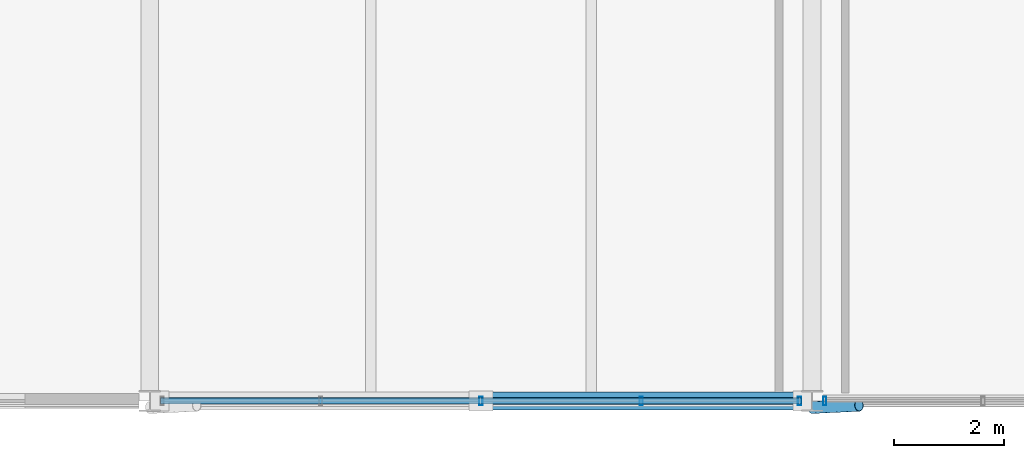
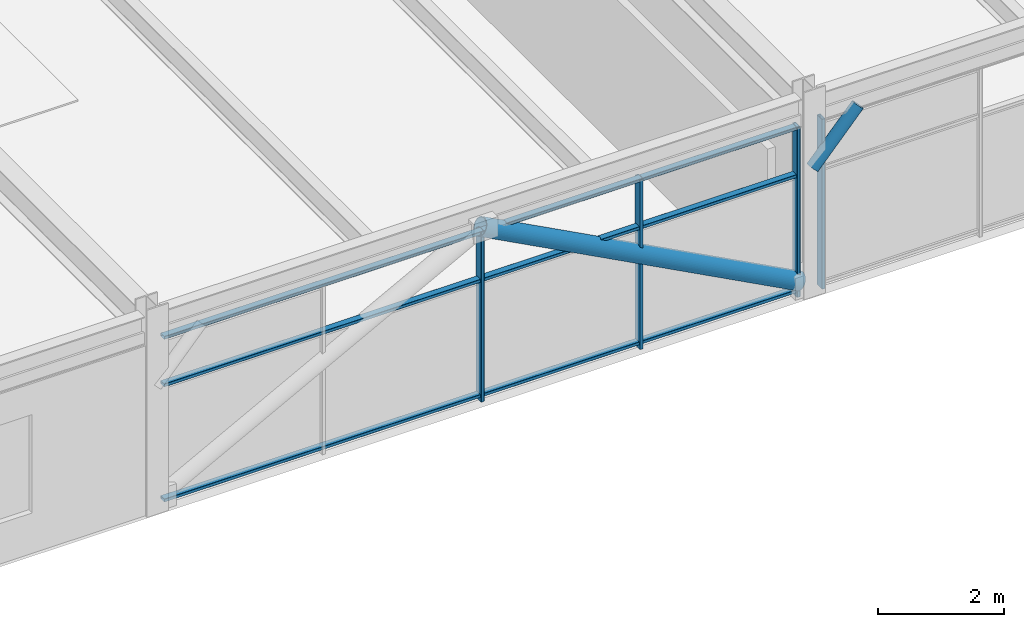
# One storey, part 10 of 51: 9 members, 2 elements without a shape of their own.
"""IFC4 building model written with IfcOpenShell, lengths in metres."""

from ifc_helpers import new_model, si_unit, direction, frame, origin, origin_2d, place, context, subcontext, project, spatial, hollow_rectangle, hollow_circle, extrude, material, material_profile, profile_set, type_object, element, aggregate, save


model = new_model("IFC4")

# Units and contexts
model_context = context("Model", 3, precision=1e-05, world=origin(), true_north=direction((0.0, 1.0)))
body_context = subcontext(model_context, "Body", "Model", "MODEL_VIEW")
ifc_project = project(units=[si_unit("LENGTHUNIT", "METRE"), si_unit("AREAUNIT", "SQUARE_METRE"), si_unit("VOLUMEUNIT", "CUBIC_METRE"), si_unit("PLANEANGLEUNIT", "RADIAN"), si_unit("MASSUNIT", "GRAM", prefix="KILO")], contexts=[model_context])

# Site, building, storey
site_placement = place(None, origin())
site = spatial("IfcSite", under=ifc_project, at=site_placement, CompositionType="ELEMENT")
building_placement = place(site_placement, origin())
building = spatial("IfcBuilding", under=site, at=building_placement, Name="Girod Span Mobility Hub", CompositionType="ELEMENT")
storey_placement = place(building_placement, frame((0.0, 0.0, 41.60009765625)))
storey = spatial("IfcBuildingStorey", under=building, at=storey_placement, Name="L10", CompositionType="ELEMENT", Elevation=41.60009765625)

# Curtain wall, members
ifc_material_1 = material(Name="Thermally Broken Anodised Aluminium", Category="aluminium")
curtain_wall_type = type_object("IfcCurtainWallType", Name="CW-1161X328", PredefinedType="USERDEFINED", material=ifc_material_1)
curtain_wall_1_placement = place(storey_placement, origin())
curtain_wall_1 = element("IfcCurtainWall", 1, at=curtain_wall_1_placement, inside=storey, type_object=curtain_wall_type, Name="Unitised Curtain Wall CW-L10-S04 L10", ObjectType="UNITISED CURTAIN WALL", PredefinedType="USERDEFINED")
ifc_material_2 = material(Name="Thermally Broken Anodised Aluminium", Category="aluminium")
ifc_material_profile_1 = material_profile(ifc_material_2, hollow_rectangle(XDim=0.159912109375, YDim=0.06005859375, WallThickness=0.00341796875, InnerFilletRadius=0.00341796875, OuterFilletRadius=0.007080078125, at=origin_2d()), Name="CW-ML-60X160")
ifc_profile_set_1 = profile_set([ifc_material_profile_1], Name="Thermally Broken Anodised Aluminium")
member_type_1 = type_object("IfcMemberType", Name="CWM-ML-3", PredefinedType="MULLION", material=ifc_profile_set_1)
member_1_placement = place(storey_placement, frame((42.0, 27.0, 0.0), z_axis=(0.0, 0.0, 1.0), x_axis=(0.0, 1.0, 0.0)))
member_1 = element("IfcMember", 2, at=member_1_placement, type_object=member_type_1, Name="Curtain Wall Mullion CW-L10-S04-M2", PredefinedType="MULLION", context=body_context, shape_type="SweptSolid", body=[
    extrude(hollow_rectangle(XDim=0.159912109375, YDim=0.06005859375, WallThickness=0.00341796875, InnerFilletRadius=0.00341796875, OuterFilletRadius=0.007080078125, at=origin_2d()), origin(), (0.0, 0.0, 1.0), 3.281005859375),
])
member_2_placement = place(storey_placement, frame((44.902587890625, 27.0, 0.0), z_axis=(0.0, 0.0, 1.0), x_axis=(0.0, 1.0, 0.0)))
member_2 = element("IfcMember", 3, at=member_2_placement, type_object=member_type_1, Name="Curtain Wall Mullion CW-L10-S04-M3", PredefinedType="MULLION", context=body_context, shape_type="SweptSolid", body=[
    extrude(hollow_rectangle(XDim=0.159912109375, YDim=0.06005859375, WallThickness=0.00341796875, InnerFilletRadius=0.00341796875, OuterFilletRadius=0.007080078125, at=origin_2d()), origin(), (0.0, 0.0, 1.0), 3.281005859375),
])
member_3_placement = place(storey_placement, frame((47.77294921875, 27.0, 0.0), z_axis=(0.0, 0.0, 1.0), x_axis=(0.0, 1.0, 0.0)))
member_3 = element("IfcMember", 4, at=member_3_placement, type_object=member_type_1, Name="Curtain Wall Mullion CW-L10-S04-M4", PredefinedType="MULLION", context=body_context, shape_type="SweptSolid", body=[
    extrude(hollow_rectangle(XDim=0.159912109375, YDim=0.06005859375, WallThickness=0.00341796875, InnerFilletRadius=0.00341796875, OuterFilletRadius=0.007080078125, at=origin_2d()), origin(), (0.0, 0.0, 1.0), 3.281005859375),
])

# Curtain wall, member
curtain_wall_2_placement = place(storey_placement, origin())
curtain_wall_2 = element("IfcCurtainWall", 5, at=curtain_wall_2_placement, inside=storey, type_object=curtain_wall_type, Name="Unitised Curtain Wall CW-L10-S05 L10", ObjectType="UNITISED CURTAIN WALL", PredefinedType="USERDEFINED")
member_4_placement = place(storey_placement, frame((48.22705078125, 27.0, 0.0), z_axis=(0.0, 0.0, 1.0), x_axis=(0.0, 1.0, 0.0)))
member_4 = element("IfcMember", 6, at=member_4_placement, type_object=member_type_1, Name="Curtain Wall Mullion CW-L10-S05-M0", PredefinedType="MULLION", context=body_context, shape_type="SweptSolid", body=[
    extrude(hollow_rectangle(XDim=0.159912109375, YDim=0.06005859375, WallThickness=0.00341796875, InnerFilletRadius=0.00341796875, OuterFilletRadius=0.007080078125, at=origin_2d()), origin(), (0.0, 0.0, 1.0), 3.281005859375),
])
aggregate(curtain_wall_2, [member_4])

# Member
ifc_material_3 = material(Name="Thermally Broken Anodised Aluminium", Category="aluminium")
ifc_material_profile_2 = material_profile(ifc_material_3, hollow_rectangle(XDim=0.1201171875, YDim=0.06005859375, WallThickness=0.00341796875, InnerFilletRadius=0.00341796875, OuterFilletRadius=0.007080078125, at=origin_2d()), Name="CW-TR-60X120")
ifc_profile_set_2 = profile_set([ifc_material_profile_2], Name="Thermally Broken Anodised Aluminium")
member_type_2 = type_object("IfcMemberType", Name="CWM-TR-3", PredefinedType="USERDEFINED", material=ifc_profile_set_2)
member_5_placement = place(storey_placement, frame((36.195068359375, 27.0, 0.10986328125), z_axis=(1.0, 0.0, 0.0), x_axis=(0.0, 1.0, 0.0)))
member_5 = element("IfcMember", 7, at=member_5_placement, type_object=member_type_2, Name="Curtain Wall Transom CW-L10-S04-T1", ObjectType="TRANSOM", PredefinedType="USERDEFINED", context=body_context, shape_type="SweptSolid", body=[
    extrude(hollow_rectangle(XDim=0.1201171875, YDim=0.06005859375, WallThickness=0.00341796875, InnerFilletRadius=0.00341796875, OuterFilletRadius=0.007080078125, at=origin_2d()), origin(), (0.0, 0.0, 1.0), 11.60986328125),
])

member_6_placement = place(storey_placement, frame((36.195068359375, 27.0, 2.332275390625), z_axis=(1.0, 0.0, 0.0), x_axis=(0.0, 1.0, 0.0)))
member_6 = element("IfcMember", 8, at=member_6_placement, type_object=member_type_2, Name="Curtain Wall Transom CW-L10-S04-T2", ObjectType="TRANSOM", PredefinedType="USERDEFINED", context=body_context, shape_type="SweptSolid", body=[
    extrude(hollow_rectangle(XDim=0.1201171875, YDim=0.06005859375, WallThickness=0.00341796875, InnerFilletRadius=0.00341796875, OuterFilletRadius=0.007080078125, at=origin_2d()), origin(), (0.0, 0.0, 1.0), 11.60986328125),
])

member_7_placement = place(storey_placement, frame((36.195068359375, 27.0, 3.2509765625), z_axis=(1.0, 0.0, 0.0), x_axis=(0.0, 1.0, 0.0)))
member_7 = element("IfcMember", 9, at=member_7_placement, type_object=member_type_2, Name="Curtain Wall Transom CW-L10-S04-T3", ObjectType="TRANSOM", PredefinedType="USERDEFINED", context=body_context, shape_type="SweptSolid", body=[
    extrude(hollow_rectangle(XDim=0.1201171875, YDim=0.06005859375, WallThickness=0.00341796875, InnerFilletRadius=0.00341796875, OuterFilletRadius=0.007080078125, at=origin_2d()), origin(), (0.0, 0.0, 1.0), 11.60986328125),
])

aggregate(curtain_wall_1, [member_1, member_2, member_3, member_5, member_6, member_7])

# Members
ifc_material_4 = material(Name="Steel HSS A500 Grade C", Category="steel")
ifc_material_profile_3 = material_profile(ifc_material_4, hollow_circle(Radius=0.162109375, WallThickness=0.01171875, at=origin_2d()), Name="HSS324X12.7")
ifc_profile_set_3 = profile_set([ifc_material_profile_3], Name="Steel HSS A500 Grade C")
member_type_3 = type_object("IfcMemberType", Name="MB-BR-HSS324", PredefinedType="BRACE", material=ifc_profile_set_3)
member_8_placement = place(storey_placement, frame((47.822998046875, 27.0, 0.25), z_axis=(-0.883282045976, 0.0, 0.468842006711), x_axis=(0.0, -1.0, 0.0)))
element("IfcMember", 10, at=member_8_placement, inside=storey, type_object=member_type_3, Name="Upper Diagrid Brace 4/C-R L10", PredefinedType="BRACE", context=body_context, shape_type="SweptSolid", body=[
    extrude(hollow_circle(Radius=0.162109375, WallThickness=0.01171875, at=origin_2d()), origin(), (0.0, 0.0, 1.0), 6.592529296875),
])
ifc_material_5 = material(Name="Steel HSS A500 Grade C", Category="steel")
ifc_material_profile_4 = material_profile(ifc_material_5, hollow_circle(Radius=0.109619140625, WallThickness=0.0087890625, at=origin_2d()), Name="HSS219X9.5")
ifc_profile_set_4 = profile_set([ifc_material_profile_4], Name="Steel HSS A500 Grade C")
member_type_4 = type_object("IfcMemberType", Name="MB-ST-HSS219", PredefinedType="STRUT", material=ifc_profile_set_4)
member_9_placement = place(storey_placement, frame((48.0, 26.8798828125, 2.449951171875), z_axis=(0.68831469116, 0.032419187062, 0.72468743762), x_axis=(-0.047047213483, 0.998892666758, 0.0)))
element("IfcMember", 11, at=member_9_placement, inside=storey, type_object=member_type_4, Name="Solar Shading Knee Strut 5 L10", PredefinedType="STRUT", context=body_context, shape_type="SweptSolid", body=[
    extrude(hollow_circle(Radius=0.109619140625, WallThickness=0.0087890625, at=origin_2d()), origin(), (0.0, 0.0, 1.0), 1.235107421875),
])

save(model, "model.ifc")
